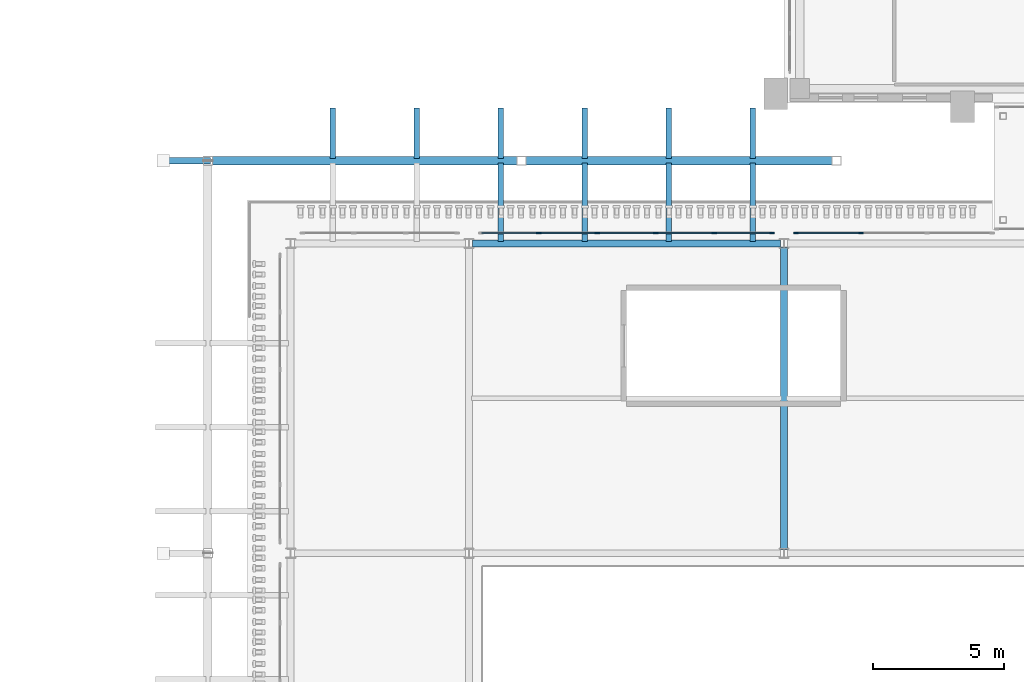
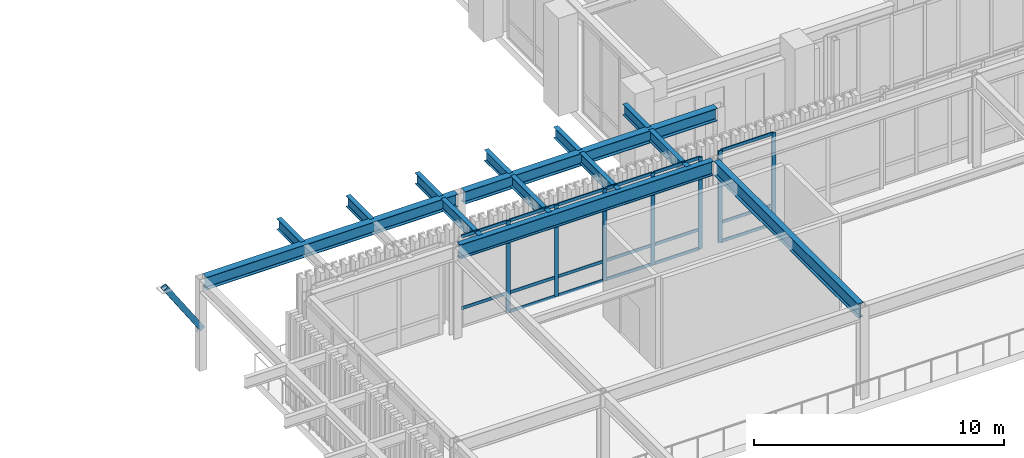
# One storey, part 56 of 126: 25 members, 14 beams, 2 elements without a shape of their own.
"""IFC4 building model written with IfcOpenShell, lengths in metres."""

from ifc_helpers import new_model, si_unit, derived_unit, direction, frame, origin, origin_2d, place, context, subcontext, project, spatial, rectangle, hollow_rectangle, i_section, extrude, material, layer, layer_set, material_profile, profile_set, type_object, element, aggregate, save


model = new_model("IFC4")

# Units and contexts
model_context = context("Model", 3, precision=1e-05, world=origin(), true_north=direction((0.0, 1.0)))
body_context = subcontext(model_context, "Body", "Model", "MODEL_VIEW")
ifc_project = project(units=[si_unit("LENGTHUNIT", "METRE"), si_unit("AREAUNIT", "SQUARE_METRE"), si_unit("VOLUMEUNIT", "CUBIC_METRE"), si_unit("PLANEANGLEUNIT", "RADIAN"), si_unit("MASSUNIT", "GRAM", prefix="KILO"), derived_unit("THERMALTRANSMITTANCEUNIT", [(si_unit("MASSUNIT", "GRAM", prefix="KILO"), 1), (si_unit("TIMEUNIT", "SECOND"), -3), (si_unit("THERMODYNAMICTEMPERATUREUNIT", "KELVIN"), -1)])], contexts=[model_context])

# Site, building, storey
site_placement = place(None, origin())
site = spatial("IfcSite", under=ifc_project, at=site_placement, CompositionType="ELEMENT")
building_placement = place(site_placement, origin())
building = spatial("IfcBuilding", under=site, at=building_placement, Name="Valcora Ridge Arena", CompositionType="ELEMENT")
storey_placement = place(building_placement, frame((0.0, 0.0, 11.39990234375)))
storey = spatial("IfcBuildingStorey", under=building, at=storey_placement, Name="L02", CompositionType="ELEMENT", Elevation=11.39990234375)

# Beams
ifc_material_1 = material(Name="Steel ASTM A572 Grade 50", Category="steel")
ifc_material_profile_1 = material_profile(ifc_material_1, i_section(OverallWidth=0.324951171875, OverallDepth=0.612060546875, WebThickness=0.0126953125, FlangeThickness=0.01904296875, FilletRadius=0.01806640625, at=origin_2d()), Name="W24X104")
ifc_profile_set_1 = profile_set([ifc_material_profile_1], Name="Steel ASTM A572 Grade 50")
beam_type_1 = type_object("IfcBeamType", Name="TY-BEAM-G-COL-W24S", PredefinedType="BEAM", material=ifc_profile_set_1)
beam_1_placement = place(storey_placement, frame((134.2099609375, 80.949951171875, 4.174072265625), z_axis=(1.0, 0.0, 0.0), x_axis=(0.0, 1.0, 0.0)))
element("IfcBeam", 1, at=beam_1_placement, inside=storey, type_object=beam_type_1, Name="G-COL-W24S BEM-G-COL-W24S-0006", PredefinedType="BEAM", context=body_context, shape_type="SweptSolid", body=[
    extrude(i_section(OverallWidth=0.324951171875, OverallDepth=0.612060546875, WebThickness=0.0126953125, FlangeThickness=0.01904296875, FilletRadius=0.01806640625, at=origin_2d()), origin(), (0.0, 0.0, 1.0), 11.630126953125),
])
beam_2_placement = place(storey_placement, frame((146.159912109375, 80.949951171875, 4.174072265625), z_axis=(1.0, 0.0, 0.0), x_axis=(0.0, 1.0, 0.0)))
element("IfcBeam", 2, at=beam_2_placement, inside=storey, type_object=beam_type_1, Name="G-COL-W24S BEM-G-COL-W24S-0007", PredefinedType="BEAM", context=body_context, shape_type="SweptSolid", body=[
    extrude(i_section(OverallWidth=0.324951171875, OverallDepth=0.612060546875, WebThickness=0.0126953125, FlangeThickness=0.01904296875, FilletRadius=0.01806640625, at=origin_2d()), origin(), (0.0, 0.0, 1.0), 11.68017578125),
])
ifc_material_profile_2 = material_profile(ifc_material_1, i_section(OverallWidth=0.256103515625, OverallDepth=0.693115234375, WebThickness=0.014404296875, FlangeThickness=0.023681640625, FilletRadius=0.02001953125, at=origin_2d()), Name="W27X114")
ifc_profile_set_2 = profile_set([ifc_material_profile_2], Name="Steel ASTM A572 Grade 50")
beam_type_2 = type_object("IfcBeamType", Name="TY-BEAM-G-W27X114-Y", PredefinedType="BEAM", material=ifc_profile_set_2)
beam_3_placement = place(storey_placement, frame((156.0, 66.139892578125, 4.133544921875), z_axis=(0.0, 1.0, 0.0), x_axis=(-1.0, 0.0, 0.0)))
element("IfcBeam", 3, at=beam_3_placement, inside=storey, type_object=beam_type_2, Name="G-W27X114-Y BEM-G-W27X114-Y-0072", PredefinedType="BEAM", context=body_context, shape_type="SweptSolid", body=[
    extrude(i_section(OverallWidth=0.256103515625, OverallDepth=0.693115234375, WebThickness=0.014404296875, FlangeThickness=0.023681640625, FilletRadius=0.02001953125, at=origin_2d()), origin(), (0.0, 0.0, 1.0), 11.52001953125),
])
ifc_material_profile_3 = material_profile(ifc_material_1, i_section(OverallWidth=0.208984375, OverallDepth=0.532958984375, WebThickness=0.01025390625, FlangeThickness=0.015625, FilletRadius=0.01611328125, at=origin_2d()), Name="W21X62")
ifc_profile_set_3 = profile_set([ifc_material_profile_3], Name="Steel ASTM A572 Grade 50")
beam_type_3 = type_object("IfcBeamType", Name="TY-BEAM-RAF-EAVE-W21N", PredefinedType="BEAM", material=ifc_profile_set_3)
for number, where, z_axis, x_axis, name in (
    (4, (145.199951171875, 77.8798828125, 4.213623046875), (0.0, 1.0, 0.0), (-1.0, 0.0, 0.0), "RAF-EAVE-W21N BEM-RAF-EAVE-W21N-0003"),
    (5, (148.39990234375, 77.8798828125, 4.213623046875), (0.0, 1.0, 0.0), (-1.0, 0.0, 0.0), "RAF-EAVE-W21N BEM-RAF-EAVE-W21N-0004"),
    (6, (151.60009765625, 77.8798828125, 4.213623046875), (0.0, 1.0, 0.0), (-1.0, 0.0, 0.0), "RAF-EAVE-W21N BEM-RAF-EAVE-W21N-0005"),
    (7, (154.800048828125, 77.8798828125, 4.213623046875), (0.0, 1.0, 0.0), (-1.0, 0.0, 0.0), "RAF-EAVE-W21N BEM-RAF-EAVE-W21N-0006"),
):
    element("IfcBeam", number, at=place(storey_placement, frame(where, z_axis=z_axis, x_axis=x_axis)), inside=storey, type_object=beam_type_3, Name=name, PredefinedType="BEAM", context=body_context, shape_type="SweptSolid", body=[
        extrude(i_section(OverallWidth=0.208984375, OverallDepth=0.532958984375, WebThickness=0.01025390625, FlangeThickness=0.015625, FilletRadius=0.01611328125, at=origin_2d()), origin(), (0.0, 0.0, 1.0), 2.990234375),
    ])
ifc_material_profile_4 = material_profile(ifc_material_1, i_section(OverallWidth=0.208984375, OverallDepth=0.532958984375, WebThickness=0.01025390625, FlangeThickness=0.015625, FilletRadius=0.01611328125, at=origin_2d()), Name="W21X62")
ifc_profile_set_4 = profile_set([ifc_material_profile_4], Name="Steel ASTM A572 Grade 50")
beam_type_4 = type_object("IfcBeamType", Name="TY-BEAM-RAF-TIP-W21N", PredefinedType="BEAM", material=ifc_profile_set_4)
for number, where, z_axis, x_axis, name in (
    (8, (138.800048828125, 81.030029296875, 4.213623046875), (0.0, 1.0, 0.0), (-1.0, 0.0, 0.0), "RAF-TIP-W21N BEM-RAF-TIP-W21N-0001"),
    (9, (142.0, 81.030029296875, 4.213623046875), (0.0, 1.0, 0.0), (-1.0, 0.0, 0.0), "RAF-TIP-W21N BEM-RAF-TIP-W21N-0002"),
    (10, (145.199951171875, 81.030029296875, 4.213623046875), (0.0, 1.0, 0.0), (-1.0, 0.0, 0.0), "RAF-TIP-W21N BEM-RAF-TIP-W21N-0003"),
    (11, (148.39990234375, 81.030029296875, 4.213623046875), (0.0, 1.0, 0.0), (-1.0, 0.0, 0.0), "RAF-TIP-W21N BEM-RAF-TIP-W21N-0004"),
    (12, (151.60009765625, 81.030029296875, 4.213623046875), (0.0, 1.0, 0.0), (-1.0, 0.0, 0.0), "RAF-TIP-W21N BEM-RAF-TIP-W21N-0005"),
    (13, (154.800048828125, 81.030029296875, 4.213623046875), (0.0, 1.0, 0.0), (-1.0, 0.0, 0.0), "RAF-TIP-W21N BEM-RAF-TIP-W21N-0006"),
):
    element("IfcBeam", number, at=place(storey_placement, frame(where, z_axis=z_axis, x_axis=x_axis)), inside=storey, type_object=beam_type_4, Name=name, PredefinedType="BEAM", context=body_context, shape_type="SweptSolid", body=[
        extrude(i_section(OverallWidth=0.208984375, OverallDepth=0.532958984375, WebThickness=0.01025390625, FlangeThickness=0.015625, FilletRadius=0.01611328125, at=origin_2d()), origin(), (0.0, 0.0, 1.0), 1.919921875),
    ])
ifc_material_profile_5 = material_profile(ifc_material_1, i_section(OverallWidth=0.256103515625, OverallDepth=0.693115234375, WebThickness=0.014404296875, FlangeThickness=0.023681640625, FilletRadius=0.02001953125, at=origin_2d()), Name="W27X114")
ifc_profile_set_5 = profile_set([ifc_material_profile_5], Name="Steel ASTM A572 Grade 50")
beam_type_5 = type_object("IfcBeamType", Name="TY-BEAM-SP-W27X114", PredefinedType="SPANDREL", material=ifc_profile_set_5)
beam_4_placement = place(storey_placement, frame((144.139892578125, 77.800048828125, 4.133544921875), z_axis=(1.0, 0.0, 0.0), x_axis=(0.0, 1.0, 0.0)))
element("IfcBeam", 14, at=beam_4_placement, inside=storey, type_object=beam_type_5, Name="SP-W27X114 BEM-SP-W27X114-0027", PredefinedType="SPANDREL", context=body_context, shape_type="SweptSolid", body=[
    extrude(i_section(OverallWidth=0.256103515625, OverallDepth=0.693115234375, WebThickness=0.014404296875, FlangeThickness=0.023681640625, FilletRadius=0.02001953125, at=origin_2d()), origin(), (0.0, 0.0, 1.0), 11.72021484375),
])

# Curtain wall, members
ifc_material_2 = material(Name="Anodised dark bronze architectural aluminium 6063-T6", Category="aluminium")
ifc_layer_1 = layer(ifc_material_2, 0.179931640625, Name="Anodised dark bronze architectural aluminium 6063-T6")
ifc_layer_set_1 = layer_set([ifc_layer_1], Name="Anodised dark bronze architectural aluminium 6063-T6")
curtain_wall_type_1 = type_object("IfcCurtainWallType", Name="TY-CURTAINWALL-CW-V2-GLAZ-111X45", PredefinedType="NOTDEFINED", material=ifc_layer_set_1)
curtain_wall_1_placement = place(storey_placement, origin())
curtain_wall_1 = element("IfcCurtainWall", 15, at=curtain_wall_1_placement, inside=storey, type_object=curtain_wall_type_1, Name="CW-V2-GLAZ-111X45 CW-0080", PredefinedType="NOTDEFINED")
ifc_material_profile_6 = material_profile(ifc_material_2, rectangle(XDim=0.06005859375, YDim=0.179931640625, at=origin_2d()), Name="ALU MULLION 60x180")
ifc_profile_set_6 = profile_set([ifc_material_profile_6], Name="Anodised dark bronze architectural aluminium 6063-T6")
member_type_1 = type_object("IfcMemberType", Name="TY-MEM-CWM-60x180", PredefinedType="MULLION", material=ifc_profile_set_6)
member_1_placement = place(storey_placement, frame((146.65625, 78.199951171875, 0.0), z_axis=(0.0, 0.0, 1.0), x_axis=(0.0, 1.0, 0.0)))
member_1 = element("IfcMember", 16, at=member_1_placement, type_object=member_type_1, Name="CW-0080/CWM-60x180/M01", PredefinedType="MULLION", context=body_context, shape_type="SweptSolid", body=[
    extrude(rectangle(XDim=0.06005859375, YDim=0.179931640625, at=origin_2d()), origin(), (0.0, 0.0, 1.0), 4.47998046875),
])
member_2_placement = place(storey_placement, frame((148.885498046875, 78.199951171875, 0.0), z_axis=(0.0, 0.0, 1.0), x_axis=(0.0, 1.0, 0.0)))
member_2 = element("IfcMember", 17, at=member_2_placement, type_object=member_type_1, Name="CW-0080/CWM-60x180/M02", PredefinedType="MULLION", context=body_context, shape_type="SweptSolid", body=[
    extrude(rectangle(XDim=0.06005859375, YDim=0.179931640625, at=origin_2d()), origin(), (0.0, 0.0, 1.0), 4.47998046875),
])
member_3_placement = place(storey_placement, frame((151.114501953125, 78.199951171875, 0.0), z_axis=(0.0, 0.0, 1.0), x_axis=(0.0, 1.0, 0.0)))
member_3 = element("IfcMember", 18, at=member_3_placement, type_object=member_type_1, Name="CW-0080/CWM-60x180/M03", PredefinedType="MULLION", context=body_context, shape_type="SweptSolid", body=[
    extrude(rectangle(XDim=0.06005859375, YDim=0.179931640625, at=origin_2d()), origin(), (0.0, 0.0, 1.0), 4.47998046875),
])
member_4_placement = place(storey_placement, frame((153.34375, 78.199951171875, 0.0), z_axis=(0.0, 0.0, 1.0), x_axis=(0.0, 1.0, 0.0)))
member_4 = element("IfcMember", 19, at=member_4_placement, type_object=member_type_1, Name="CW-0080/CWM-60x180/M04", PredefinedType="MULLION", context=body_context, shape_type="SweptSolid", body=[
    extrude(rectangle(XDim=0.06005859375, YDim=0.179931640625, at=origin_2d()), origin(), (0.0, 0.0, 1.0), 4.47998046875),
])
member_5_placement = place(storey_placement, frame((155.54296875, 78.199951171875, 0.0), z_axis=(0.0, 0.0, 1.0), x_axis=(0.0, 1.0, 0.0)))
member_5 = element("IfcMember", 20, at=member_5_placement, type_object=member_type_1, Name="CW-0080/CWM-60x180/M05", PredefinedType="MULLION", context=body_context, shape_type="SweptSolid", body=[
    extrude(rectangle(XDim=0.06005859375, YDim=0.179931640625, at=origin_2d()), origin(), (0.0, 0.0, 1.0), 4.47998046875),
])

ifc_layer_2 = layer(ifc_material_2, 0.179931640625, Name="Anodised dark bronze architectural aluminium 6063-T6")
ifc_layer_set_2 = layer_set([ifc_layer_2], Name="Anodised dark bronze architectural aluminium 6063-T6")
curtain_wall_type_2 = type_object("IfcCurtainWallType", Name="TY-CURTAINWALL-CW-V2-GLAZ-075X45", PredefinedType="NOTDEFINED", material=ifc_layer_set_2)
curtain_wall_2_placement = place(storey_placement, origin())
curtain_wall_2 = element("IfcCurtainWall", 21, at=curtain_wall_2_placement, inside=storey, type_object=curtain_wall_type_2, Name="CW-V2-GLAZ-075X45 CW-0081", PredefinedType="NOTDEFINED")
member_6_placement = place(storey_placement, frame((156.45703125, 78.199951171875, 0.0), z_axis=(0.0, 0.0, 1.0), x_axis=(0.0, 1.0, 0.0)))
member_6 = element("IfcMember", 22, at=member_6_placement, type_object=member_type_1, Name="CW-0081/CWM-60x180/M00", PredefinedType="MULLION", context=body_context, shape_type="SweptSolid", body=[
    extrude(rectangle(XDim=0.06005859375, YDim=0.179931640625, at=origin_2d()), origin(), (0.0, 0.0, 1.0), 4.47998046875),
])
member_7_placement = place(storey_placement, frame((158.934814453125, 78.199951171875, 0.0), z_axis=(0.0, 0.0, 1.0), x_axis=(0.0, 1.0, 0.0)))
member_7 = element("IfcMember", 23, at=member_7_placement, type_object=member_type_1, Name="CW-0081/CWM-60x180/M01", PredefinedType="MULLION", context=body_context, shape_type="SweptSolid", body=[
    extrude(rectangle(XDim=0.06005859375, YDim=0.179931640625, at=origin_2d()), origin(), (0.0, 0.0, 1.0), 4.47998046875),
])

# Member
ifc_material_profile_7 = material_profile(ifc_material_2, rectangle(XDim=0.050048828125, YDim=0.14990234375, at=origin_2d()), Name="ALU TRANSOM 50x150")
ifc_profile_set_7 = profile_set([ifc_material_profile_7], Name="Anodised dark bronze architectural aluminium 6063-T6")
member_type_2 = type_object("IfcMemberType", Name="TY-MEM-CWT-50x150", PredefinedType="USERDEFINED", material=ifc_profile_set_7)
member_8_placement = place(storey_placement, frame((144.487060546875, 78.199951171875, 0.9501953125), z_axis=(1.0, 0.0, 0.0), x_axis=(0.0, 1.0, 0.0)))
member_8 = element("IfcMember", 24, at=member_8_placement, type_object=member_type_2, Name="CW-0080/CWT-50x150/T00-01", ObjectType="TRANSOM", PredefinedType="USERDEFINED", context=body_context, shape_type="SweptSolid", body=[
    extrude(rectangle(XDim=0.050048828125, YDim=0.14990234375, at=origin_2d()), origin(), (0.0, 0.0, 1.0), 2.138916015625),
])

member_9_placement = place(storey_placement, frame((144.487060546875, 78.199951171875, 4.455078125), z_axis=(1.0, 0.0, 0.0), x_axis=(0.0, 1.0, 0.0)))
member_9 = element("IfcMember", 25, at=member_9_placement, type_object=member_type_2, Name="CW-0080/CWT-50x150/T00-02", ObjectType="TRANSOM", PredefinedType="USERDEFINED", context=body_context, shape_type="SweptSolid", body=[
    extrude(rectangle(XDim=0.050048828125, YDim=0.14990234375, at=origin_2d()), origin(), (0.0, 0.0, 1.0), 2.138916015625),
])

member_10_placement = place(storey_placement, frame((146.68603515625, 78.199951171875, 0.025146484375), z_axis=(1.0, 0.0, 0.0), x_axis=(0.0, 1.0, 0.0)))
member_10 = element("IfcMember", 26, at=member_10_placement, type_object=member_type_2, Name="CW-0080/CWT-50x150/T01-00", ObjectType="TRANSOM", PredefinedType="USERDEFINED", context=body_context, shape_type="SweptSolid", body=[
    extrude(rectangle(XDim=0.050048828125, YDim=0.14990234375, at=origin_2d()), origin(), (0.0, 0.0, 1.0), 2.1689453125),
])

member_11_placement = place(storey_placement, frame((146.68603515625, 78.199951171875, 0.9501953125), z_axis=(1.0, 0.0, 0.0), x_axis=(0.0, 1.0, 0.0)))
member_11 = element("IfcMember", 27, at=member_11_placement, type_object=member_type_2, Name="CW-0080/CWT-50x150/T01-01", ObjectType="TRANSOM", PredefinedType="USERDEFINED", context=body_context, shape_type="SweptSolid", body=[
    extrude(rectangle(XDim=0.050048828125, YDim=0.14990234375, at=origin_2d()), origin(), (0.0, 0.0, 1.0), 2.1689453125),
])

member_12_placement = place(storey_placement, frame((146.68603515625, 78.199951171875, 4.455078125), z_axis=(1.0, 0.0, 0.0), x_axis=(0.0, 1.0, 0.0)))
member_12 = element("IfcMember", 28, at=member_12_placement, type_object=member_type_2, Name="CW-0080/CWT-50x150/T01-02", ObjectType="TRANSOM", PredefinedType="USERDEFINED", context=body_context, shape_type="SweptSolid", body=[
    extrude(rectangle(XDim=0.050048828125, YDim=0.14990234375, at=origin_2d()), origin(), (0.0, 0.0, 1.0), 2.1689453125),
])

member_13_placement = place(storey_placement, frame((148.9150390625, 78.199951171875, 0.025146484375), z_axis=(1.0, 0.0, 0.0), x_axis=(0.0, 1.0, 0.0)))
member_13 = element("IfcMember", 29, at=member_13_placement, type_object=member_type_2, Name="CW-0080/CWT-50x150/T02-00", ObjectType="TRANSOM", PredefinedType="USERDEFINED", context=body_context, shape_type="SweptSolid", body=[
    extrude(rectangle(XDim=0.050048828125, YDim=0.14990234375, at=origin_2d()), origin(), (0.0, 0.0, 1.0), 2.169921875),
])

member_14_placement = place(storey_placement, frame((148.9150390625, 78.199951171875, 0.9501953125), z_axis=(1.0, 0.0, 0.0), x_axis=(0.0, 1.0, 0.0)))
member_14 = element("IfcMember", 30, at=member_14_placement, type_object=member_type_2, Name="CW-0080/CWT-50x150/T02-01", ObjectType="TRANSOM", PredefinedType="USERDEFINED", context=body_context, shape_type="SweptSolid", body=[
    extrude(rectangle(XDim=0.050048828125, YDim=0.14990234375, at=origin_2d()), origin(), (0.0, 0.0, 1.0), 2.169921875),
])

member_15_placement = place(storey_placement, frame((148.9150390625, 78.199951171875, 4.455078125), z_axis=(1.0, 0.0, 0.0), x_axis=(0.0, 1.0, 0.0)))
member_15 = element("IfcMember", 31, at=member_15_placement, type_object=member_type_2, Name="CW-0080/CWT-50x150/T02-02", ObjectType="TRANSOM", PredefinedType="USERDEFINED", context=body_context, shape_type="SweptSolid", body=[
    extrude(rectangle(XDim=0.050048828125, YDim=0.14990234375, at=origin_2d()), origin(), (0.0, 0.0, 1.0), 2.169921875),
])

member_16_placement = place(storey_placement, frame((151.14501953125, 78.199951171875, 0.025146484375), z_axis=(1.0, 0.0, 0.0), x_axis=(0.0, 1.0, 0.0)))
member_16 = element("IfcMember", 32, at=member_16_placement, type_object=member_type_2, Name="CW-0080/CWT-50x150/T03-00", ObjectType="TRANSOM", PredefinedType="USERDEFINED", context=body_context, shape_type="SweptSolid", body=[
    extrude(rectangle(XDim=0.050048828125, YDim=0.14990234375, at=origin_2d()), origin(), (0.0, 0.0, 1.0), 2.1689453125),
])

member_17_placement = place(storey_placement, frame((151.14501953125, 78.199951171875, 0.9501953125), z_axis=(1.0, 0.0, 0.0), x_axis=(0.0, 1.0, 0.0)))
member_17 = element("IfcMember", 33, at=member_17_placement, type_object=member_type_2, Name="CW-0080/CWT-50x150/T03-01", ObjectType="TRANSOM", PredefinedType="USERDEFINED", context=body_context, shape_type="SweptSolid", body=[
    extrude(rectangle(XDim=0.050048828125, YDim=0.14990234375, at=origin_2d()), origin(), (0.0, 0.0, 1.0), 2.1689453125),
])

member_18_placement = place(storey_placement, frame((151.14501953125, 78.199951171875, 4.455078125), z_axis=(1.0, 0.0, 0.0), x_axis=(0.0, 1.0, 0.0)))
member_18 = element("IfcMember", 34, at=member_18_placement, type_object=member_type_2, Name="CW-0080/CWT-50x150/T03-02", ObjectType="TRANSOM", PredefinedType="USERDEFINED", context=body_context, shape_type="SweptSolid", body=[
    extrude(rectangle(XDim=0.050048828125, YDim=0.14990234375, at=origin_2d()), origin(), (0.0, 0.0, 1.0), 2.1689453125),
])

member_19_placement = place(storey_placement, frame((153.3740234375, 78.199951171875, 0.025146484375), z_axis=(1.0, 0.0, 0.0), x_axis=(0.0, 1.0, 0.0)))
member_19 = element("IfcMember", 35, at=member_19_placement, type_object=member_type_2, Name="CW-0080/CWT-50x150/T04-00", ObjectType="TRANSOM", PredefinedType="USERDEFINED", context=body_context, shape_type="SweptSolid", body=[
    extrude(rectangle(XDim=0.050048828125, YDim=0.14990234375, at=origin_2d()), origin(), (0.0, 0.0, 1.0), 2.138916015625),
])

member_20_placement = place(storey_placement, frame((153.3740234375, 78.199951171875, 0.9501953125), z_axis=(1.0, 0.0, 0.0), x_axis=(0.0, 1.0, 0.0)))
member_20 = element("IfcMember", 36, at=member_20_placement, type_object=member_type_2, Name="CW-0080/CWT-50x150/T04-01", ObjectType="TRANSOM", PredefinedType="USERDEFINED", context=body_context, shape_type="SweptSolid", body=[
    extrude(rectangle(XDim=0.050048828125, YDim=0.14990234375, at=origin_2d()), origin(), (0.0, 0.0, 1.0), 2.138916015625),
])

member_21_placement = place(storey_placement, frame((153.3740234375, 78.199951171875, 4.455078125), z_axis=(1.0, 0.0, 0.0), x_axis=(0.0, 1.0, 0.0)))
member_21 = element("IfcMember", 37, at=member_21_placement, type_object=member_type_2, Name="CW-0080/CWT-50x150/T04-02", ObjectType="TRANSOM", PredefinedType="USERDEFINED", context=body_context, shape_type="SweptSolid", body=[
    extrude(rectangle(XDim=0.050048828125, YDim=0.14990234375, at=origin_2d()), origin(), (0.0, 0.0, 1.0), 2.138916015625),
])

aggregate(curtain_wall_1, [member_1, member_2, member_3, member_4, member_5, member_8, member_9, member_10, member_11, member_12, member_13, member_14, member_15, member_16, member_17, member_18, member_19, member_20, member_21])

member_22_placement = place(storey_placement, frame((156.487060546875, 78.199951171875, 0.025146484375), z_axis=(1.0, 0.0, 0.0), x_axis=(0.0, 1.0, 0.0)))
member_22 = element("IfcMember", 38, at=member_22_placement, type_object=member_type_2, Name="CW-0081/CWT-50x150/T00-00", ObjectType="TRANSOM", PredefinedType="USERDEFINED", context=body_context, shape_type="SweptSolid", body=[
    extrude(rectangle(XDim=0.050048828125, YDim=0.14990234375, at=origin_2d()), origin(), (0.0, 0.0, 1.0), 2.41796875),
])

member_23_placement = place(storey_placement, frame((156.487060546875, 78.199951171875, 0.9501953125), z_axis=(1.0, 0.0, 0.0), x_axis=(0.0, 1.0, 0.0)))
member_23 = element("IfcMember", 39, at=member_23_placement, type_object=member_type_2, Name="CW-0081/CWT-50x150/T00-01", ObjectType="TRANSOM", PredefinedType="USERDEFINED", context=body_context, shape_type="SweptSolid", body=[
    extrude(rectangle(XDim=0.050048828125, YDim=0.14990234375, at=origin_2d()), origin(), (0.0, 0.0, 1.0), 2.41796875),
])

member_24_placement = place(storey_placement, frame((156.487060546875, 78.199951171875, 4.455078125), z_axis=(1.0, 0.0, 0.0), x_axis=(0.0, 1.0, 0.0)))
member_24 = element("IfcMember", 40, at=member_24_placement, type_object=member_type_2, Name="CW-0081/CWT-50x150/T00-02", ObjectType="TRANSOM", PredefinedType="USERDEFINED", context=body_context, shape_type="SweptSolid", body=[
    extrude(rectangle(XDim=0.050048828125, YDim=0.14990234375, at=origin_2d()), origin(), (0.0, 0.0, 1.0), 2.41796875),
])

aggregate(curtain_wall_2, [member_6, member_7, member_22, member_23, member_24])

ifc_material_3 = material(Name="Steel ASTM A500 Grade C", Category="steel")
ifc_material_profile_8 = material_profile(ifc_material_3, hollow_rectangle(XDim=0.25, YDim=0.25, WallThickness=0.012451171875, at=origin_2d()), Name="HSS250X250X12")
ifc_profile_set_8 = profile_set([ifc_material_profile_8], Name="Steel ASTM A500 Grade C")
member_type_3 = type_object("IfcMemberType", Name="TY-MEMBER-KBG-250", PredefinedType="BRACE", material=ifc_profile_set_8)
member_25_placement = place(storey_placement, frame((134.050048828125, 80.949951171875, 2.0), z_axis=(-0.55317758564, 0.0, 0.833063358182), x_axis=(0.0, -1.0, 0.0)))
element("IfcMember", 41, at=member_25_placement, inside=storey, type_object=member_type_3, Name="KBG-250 Knee Brace", PredefinedType="BRACE", context=body_context, shape_type="SweptSolid", body=[
    extrude(hollow_rectangle(XDim=0.25, YDim=0.25, WallThickness=0.012451171875, at=origin_2d()), origin(), (0.0, 0.0, 1.0), 3.072998046875),
])

save(model, "model.ifc")
